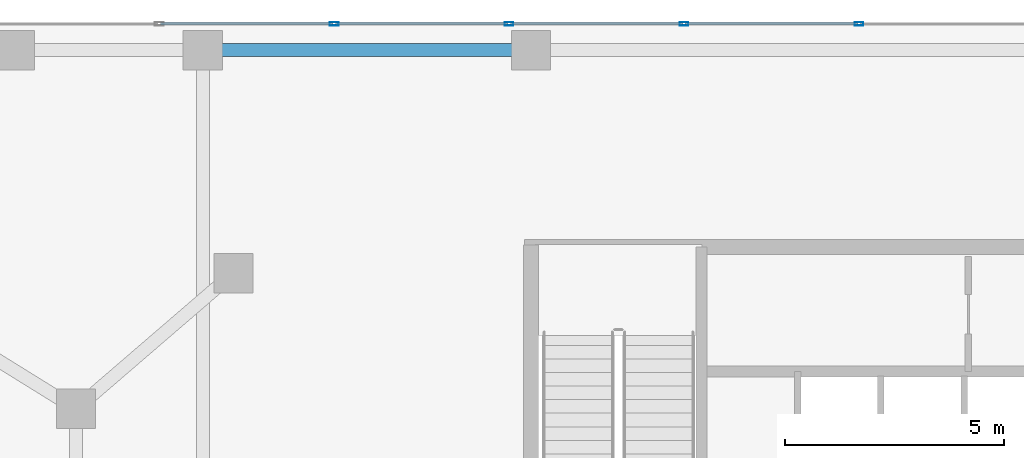
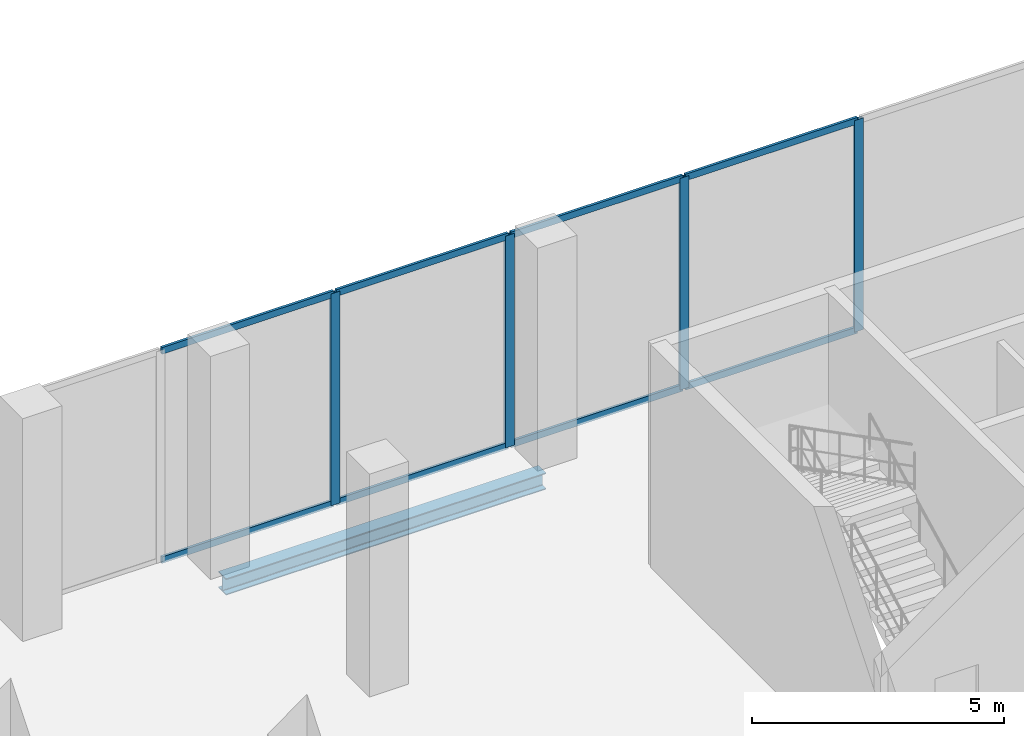
# One storey, part 14 of 24: 12 members, 1 beam, 1 element without a shape of its own.
"""IFC4 building model written with IfcOpenShell, lengths in metres."""

from ifc_helpers import new_model, si_unit, direction, frame, origin, origin_2d, place, context, subcontext, project, spatial, hollow_rectangle, i_section, extrude, material, layer, layer_set, material_profile, profile_set, type_object, element, aggregate, save


model = new_model("IFC4")

# Units and contexts
model_context = context("Model", 3, precision=1e-05, world=origin(), true_north=direction((0.0, 1.0)))
body_context = subcontext(model_context, "Body", "Model", "MODEL_VIEW")
ifc_project = project(units=[si_unit("LENGTHUNIT", "METRE"), si_unit("AREAUNIT", "SQUARE_METRE"), si_unit("VOLUMEUNIT", "CUBIC_METRE"), si_unit("PLANEANGLEUNIT", "RADIAN"), si_unit("MASSUNIT", "GRAM", prefix="KILO")], contexts=[model_context])

# Site, building, storey
site_placement = place(None, origin())
site = spatial("IfcSite", under=ifc_project, at=site_placement, CompositionType="ELEMENT")
building_placement = place(site_placement, origin())
building = spatial("IfcBuilding", under=site, at=building_placement, Name="Catumbela Crestline Tower", CompositionType="ELEMENT")
storey_placement = place(building_placement, frame((0.0, 0.0, 84.6)))
storey = spatial("IfcBuildingStorey", under=building, at=storey_placement, Name="L21", CompositionType="ELEMENT", Elevation=84.6)

# Curtain wall, members
ifc_material_1 = material(Name="Aluminium alloy AW-6060-T66", Category="aluminium")
ifc_layer = layer(ifc_material_1, 0.18, Name="Aluminium alloy AW-6060-T66")
ifc_layer_set = layer_set([ifc_layer], Name="Aluminium alloy AW-6060-T66")
curtain_wall_type = type_object("IfcCurtainWallType", Name="CWU-SKY", PredefinedType="USERDEFINED", material=ifc_layer_set)
curtain_wall_placement = place(storey_placement, origin())
curtain_wall = element("IfcCurtainWall", 1, at=curtain_wall_placement, inside=storey, type_object=curtain_wall_type, Name="L21 Unitised Curtain Wall CW-L21-E7S1", ObjectType="UNITISED", PredefinedType="USERDEFINED")
ifc_material_profile_1 = material_profile(ifc_material_1, hollow_rectangle(XDim=0.075, YDim=0.2, WallThickness=0.005, at=origin_2d()), Name="ALU 200x75x5")
ifc_profile_set_1 = profile_set([ifc_material_profile_1], Name="Aluminium alloy AW-6060-T66")
member_type_1 = type_object("IfcMemberType", Name="MUL-200X75", PredefinedType="MULLION", material=ifc_profile_set_1)
member_1_placement = place(storey_placement, frame((23.5, 48.0, 0.0), z_axis=(0.0, 0.0, 1.0), x_axis=(0.0, -1.0, 0.0)))
member_1 = element("IfcMember", 2, at=member_1_placement, type_object=member_type_1, Name="CWU-SKY mullion 7", PredefinedType="MULLION", context=body_context, shape_type="SweptSolid", body=[
    extrude(hollow_rectangle(XDim=0.075, YDim=0.2, WallThickness=0.005, at=origin_2d()), origin(), (0.0, 0.0, 1.0), 5.13),
])
member_2_placement = place(storey_placement, frame((19.5, 48.0, 0.0), z_axis=(0.0, 0.0, 1.0), x_axis=(0.0, -1.0, 0.0)))
member_2 = element("IfcMember", 3, at=member_2_placement, type_object=member_type_1, Name="CWU-SKY mullion 8", PredefinedType="MULLION", context=body_context, shape_type="SweptSolid", body=[
    extrude(hollow_rectangle(XDim=0.075, YDim=0.2, WallThickness=0.005, at=origin_2d()), origin(), (0.0, 0.0, 1.0), 5.13),
])
member_3_placement = place(storey_placement, frame((15.5, 48.0, 0.0), z_axis=(0.0, 0.0, 1.0), x_axis=(0.0, -1.0, 0.0)))
member_3 = element("IfcMember", 4, at=member_3_placement, type_object=member_type_1, Name="CWU-SKY mullion 9", PredefinedType="MULLION", context=body_context, shape_type="SweptSolid", body=[
    extrude(hollow_rectangle(XDim=0.075, YDim=0.2, WallThickness=0.005, at=origin_2d()), origin(), (0.0, 0.0, 1.0), 5.13),
])
member_4_placement = place(storey_placement, frame((11.5, 48.0, 0.0), z_axis=(0.0, 0.0, 1.0), x_axis=(0.0, -1.0, 0.0)))
member_4 = element("IfcMember", 5, at=member_4_placement, type_object=member_type_1, Name="CWU-SKY mullion 10", PredefinedType="MULLION", context=body_context, shape_type="SweptSolid", body=[
    extrude(hollow_rectangle(XDim=0.075, YDim=0.2, WallThickness=0.005, at=origin_2d()), origin(), (0.0, 0.0, 1.0), 5.13),
])

# Beam
ifc_material_2 = material(Name="Structural steel S355J2", Category="steel")
ifc_material_profile_2 = material_profile(ifc_material_2, i_section(OverallWidth=0.3, OverallDepth=0.4, WebThickness=0.0135, FlangeThickness=0.024, FilletRadius=0.027, at=origin_2d()), Name="HEB 400")
ifc_profile_set_2 = profile_set([ifc_material_profile_2], Name="Structural steel S355J2")
beam_type = type_object("IfcBeamType", Name="BS-HEB400", PredefinedType="SPANDREL", material=ifc_profile_set_2)
beam_placement = place(storey_placement, frame((8.58, 47.4, -0.55), z_axis=(1.0, 0.0, 0.0), x_axis=(0.0, 1.0, 0.0)))
element("IfcBeam", 6, at=beam_placement, inside=storey, type_object=beam_type, Name="L21 Spandrel SP-L21-NF18", PredefinedType="SPANDREL", context=body_context, shape_type="SweptSolid", body=[
    extrude(i_section(OverallWidth=0.3, OverallDepth=0.4, WebThickness=0.0135, FlangeThickness=0.024, FilletRadius=0.027, at=origin_2d()), origin(), (0.0, 0.0, 1.0), 7.34),
])

# Member
ifc_material_profile_3 = material_profile(ifc_material_1, hollow_rectangle(XDim=0.06, YDim=0.16, WallThickness=0.004, at=origin_2d()), Name="ALU 160x60x4")
ifc_profile_set_3 = profile_set([ifc_material_profile_3], Name="Aluminium alloy AW-6060-T66")
member_type_2 = type_object("IfcMemberType", Name="TRN-160X60", PredefinedType="USERDEFINED", material=ifc_profile_set_3)
member_5_placement = place(storey_placement, frame((23.4675, 48.0, 0.03), z_axis=(-1.0, 0.0, 0.0), x_axis=(0.0, -1.0, 0.0)))
member_5 = element("IfcMember", 7, at=member_5_placement, type_object=member_type_2, Name="CWU-SKY transom 7.1", ObjectType="TRANSOM", PredefinedType="USERDEFINED", context=body_context, shape_type="SweptSolid", body=[
    extrude(hollow_rectangle(XDim=0.06, YDim=0.16, WallThickness=0.004, at=origin_2d()), origin(), (0.0, 0.0, 1.0), 3.935),
])

member_6_placement = place(storey_placement, frame((23.4675, 48.0, 5.1), z_axis=(-1.0, 0.0, 0.0), x_axis=(0.0, -1.0, 0.0)))
member_6 = element("IfcMember", 8, at=member_6_placement, type_object=member_type_2, Name="CWU-SKY transom 7.2", ObjectType="TRANSOM", PredefinedType="USERDEFINED", context=body_context, shape_type="SweptSolid", body=[
    extrude(hollow_rectangle(XDim=0.06, YDim=0.16, WallThickness=0.004, at=origin_2d()), origin(), (0.0, 0.0, 1.0), 3.935),
])

member_7_placement = place(storey_placement, frame((19.4675, 48.0, 0.03), z_axis=(-1.0, 0.0, 0.0), x_axis=(0.0, -1.0, 0.0)))
member_7 = element("IfcMember", 9, at=member_7_placement, type_object=member_type_2, Name="CWU-SKY transom 8.1", ObjectType="TRANSOM", PredefinedType="USERDEFINED", context=body_context, shape_type="SweptSolid", body=[
    extrude(hollow_rectangle(XDim=0.06, YDim=0.16, WallThickness=0.004, at=origin_2d()), origin(), (0.0, 0.0, 1.0), 3.935),
])

member_8_placement = place(storey_placement, frame((19.4675, 48.0, 5.1), z_axis=(-1.0, 0.0, 0.0), x_axis=(0.0, -1.0, 0.0)))
member_8 = element("IfcMember", 10, at=member_8_placement, type_object=member_type_2, Name="CWU-SKY transom 8.2", ObjectType="TRANSOM", PredefinedType="USERDEFINED", context=body_context, shape_type="SweptSolid", body=[
    extrude(hollow_rectangle(XDim=0.06, YDim=0.16, WallThickness=0.004, at=origin_2d()), origin(), (0.0, 0.0, 1.0), 3.935),
])

member_9_placement = place(storey_placement, frame((15.4675, 48.0, 0.03), z_axis=(-1.0, 0.0, 0.0), x_axis=(0.0, -1.0, 0.0)))
member_9 = element("IfcMember", 11, at=member_9_placement, type_object=member_type_2, Name="CWU-SKY transom 9.1", ObjectType="TRANSOM", PredefinedType="USERDEFINED", context=body_context, shape_type="SweptSolid", body=[
    extrude(hollow_rectangle(XDim=0.06, YDim=0.16, WallThickness=0.004, at=origin_2d()), origin(), (0.0, 0.0, 1.0), 3.935),
])

member_10_placement = place(storey_placement, frame((15.4675, 48.0, 5.1), z_axis=(-1.0, 0.0, 0.0), x_axis=(0.0, -1.0, 0.0)))
member_10 = element("IfcMember", 12, at=member_10_placement, type_object=member_type_2, Name="CWU-SKY transom 9.2", ObjectType="TRANSOM", PredefinedType="USERDEFINED", context=body_context, shape_type="SweptSolid", body=[
    extrude(hollow_rectangle(XDim=0.06, YDim=0.16, WallThickness=0.004, at=origin_2d()), origin(), (0.0, 0.0, 1.0), 3.935),
])

member_11_placement = place(storey_placement, frame((11.4675, 48.0, 0.03), z_axis=(-1.0, 0.0, 0.0), x_axis=(0.0, -1.0, 0.0)))
member_11 = element("IfcMember", 13, at=member_11_placement, type_object=member_type_2, Name="CWU-SKY transom 10.1", ObjectType="TRANSOM", PredefinedType="USERDEFINED", context=body_context, shape_type="SweptSolid", body=[
    extrude(hollow_rectangle(XDim=0.06, YDim=0.16, WallThickness=0.004, at=origin_2d()), origin(), (0.0, 0.0, 1.0), 3.935),
])

member_12_placement = place(storey_placement, frame((11.4675, 48.0, 5.1), z_axis=(-1.0, 0.0, 0.0), x_axis=(0.0, -1.0, 0.0)))
member_12 = element("IfcMember", 14, at=member_12_placement, type_object=member_type_2, Name="CWU-SKY transom 10.2", ObjectType="TRANSOM", PredefinedType="USERDEFINED", context=body_context, shape_type="SweptSolid", body=[
    extrude(hollow_rectangle(XDim=0.06, YDim=0.16, WallThickness=0.004, at=origin_2d()), origin(), (0.0, 0.0, 1.0), 3.935),
])

aggregate(curtain_wall, [member_1, member_2, member_3, member_4, member_5, member_6, member_7, member_8, member_9, member_10, member_11, member_12])

save(model, "model.ifc")
